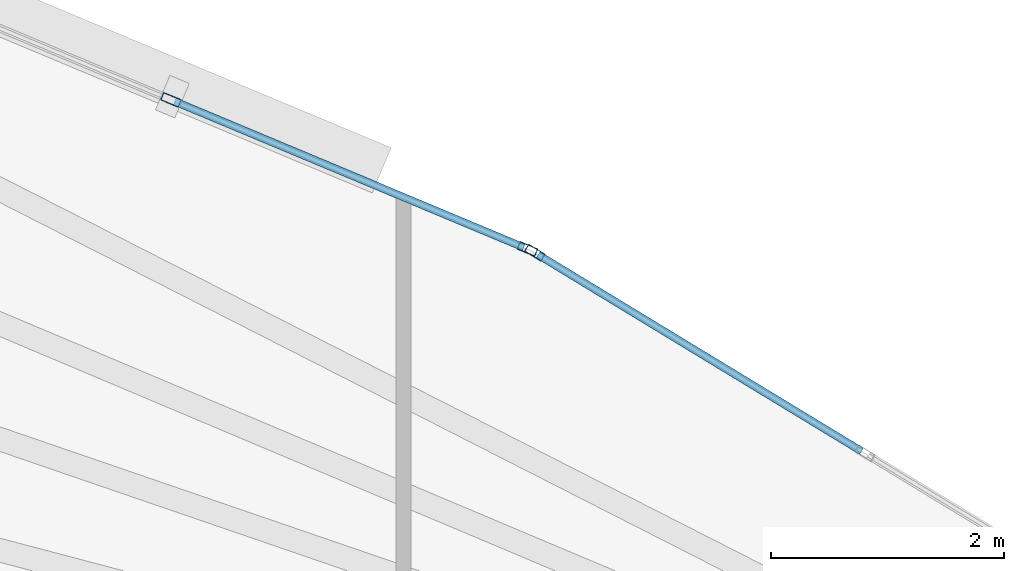
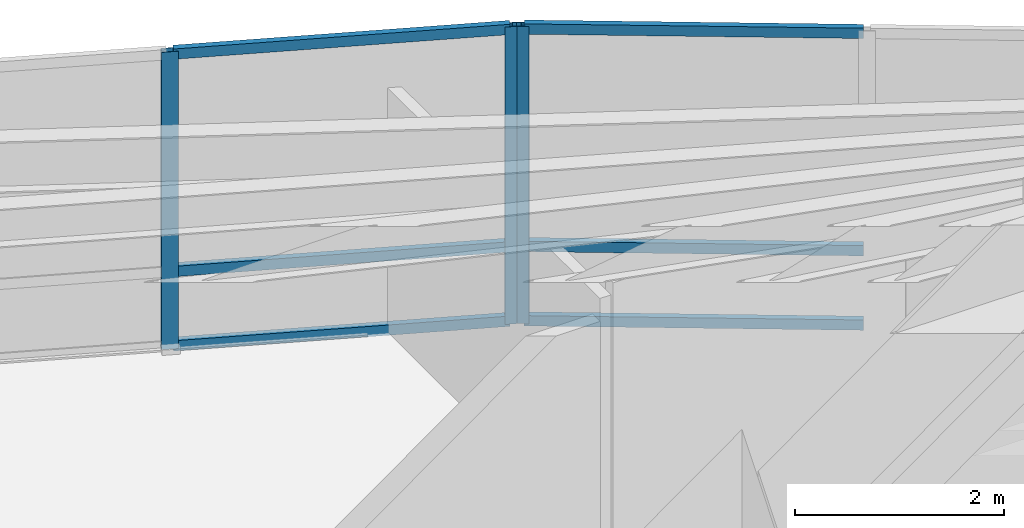
# One storey, part 12 of 17: 9 members, 2 elements without a shape of their own.
"""IFC4 building model written with IfcOpenShell, lengths in metres."""

import ifcopenshell
import ifcopenshell.guid

model = None  # the IFC model being written
_history = None  # IfcOwnerHistory: only IFC2X3 demands one
_inside = {}  # id of a spatial element -> (the spatial element, [elements in it])
_under = {}  # id of a project, library or spatial element -> (it, [spatial elements below it])
_declared = {}  # id of a project -> (the project, [libraries it declares])
_typed = {}  # id of a type object -> (the type object, [elements of that type])
_made_of = {}  # id of a material, layer set ... -> (it, [elements and type objects made of it])


def new_model(schema):
    """Start an empty IFC model of exactly this schema.

    Asked for "IFC4X3", IfcOpenShell would pick the latest addendum, in which some entities
    have other attributes; the version numbers below select the first issue.
    IFC2X3 requires an IfcOwnerHistory on every rooted entity: one is made here for all.
    """
    global model, _history
    if schema == "IFC4X3":
        model = ifcopenshell.file(schema_version=(4, 3, 0, 0))
    else:
        model = ifcopenshell.file(schema=schema)
    _inside.clear()
    _under.clear()
    _declared.clear()
    _typed.clear()
    _made_of.clear()
    _history = None
    if model.schema == "IFC2X3":
        org = make("IfcOrganization", Name="unknown")
        user = make(
            "IfcPersonAndOrganization",
            ThePerson=make("IfcPerson", FamilyName="unknown"),
            TheOrganization=org,
        )
        app = make(
            "IfcApplication",
            ApplicationDeveloper=org,
            Version="unknown",
            ApplicationFullName="unknown",
            ApplicationIdentifier="unknown",
        )
        _history = make(
            "IfcOwnerHistory",
            OwningUser=user,
            OwningApplication=app,
            ChangeAction="ADDED",
            CreationDate=0,
        )
    return model


def make(cls, **values):
    """One entity of the class cls with the attributes given. An attribute that is None is left unset."""
    return model.create_entity(
        cls, **{name: value for name, value in values.items() if value is not None}
    )


def rooted(cls, **values):
    """An entity with a GlobalId (a new one), such as an element, a storey or a relation."""
    return make(cls, GlobalId=ifcopenshell.guid.new(), OwnerHistory=_history, **values)


def si_unit(unit_type, name, prefix=None):
    """IfcSIUnit, for example si_unit("LENGTHUNIT", "METRE", prefix="MILLI")."""
    return make("IfcSIUnit", UnitType=unit_type, Prefix=prefix, Name=name)


def assignment(units):
    """IfcUnitAssignment: the units of a project."""
    return None if units is None else make("IfcUnitAssignment", Units=units)


def point(xyz):
    """IfcCartesianPoint."""
    return None if xyz is None else make("IfcCartesianPoint", Coordinates=xyz)


def direction(xyz):
    """IfcDirection."""
    return None if xyz is None else make("IfcDirection", DirectionRatios=xyz)


def frame(location, z_axis=None, x_axis=None):
    """IfcAxis2Placement3D, a coordinate frame: its origin and axes. An axis left out is left unset."""
    return make(
        "IfcAxis2Placement3D",
        Location=point(location),
        Axis=direction(z_axis),
        RefDirection=direction(x_axis),
    )


def frame_2d(location, x_axis=None):
    """IfcAxis2Placement2D, a coordinate frame in the plane: its origin and x axis."""
    return make(
        "IfcAxis2Placement2D", Location=point(location), RefDirection=direction(x_axis)
    )


def origin():
    """The frame at (0, 0, 0) with its axes left unset."""
    return frame((0.0, 0.0, 0.0))


def origin_2d():
    """The frame at (0, 0) in the plane with its x axis left unset."""
    return frame_2d((0.0, 0.0))


def place(relative_to, where):
    """IfcLocalPlacement: puts the frame where relative to a parent placement (None: the world)."""
    return make(
        "IfcLocalPlacement", PlacementRelTo=relative_to, RelativePlacement=where
    )


def context(
    kind, dimensions, precision=None, world=None, true_north=None, identifier=None
):
    """IfcGeometricRepresentationContext, for example the 3D "Model" context."""
    return make(
        "IfcGeometricRepresentationContext",
        ContextIdentifier=identifier,
        ContextType=kind,
        CoordinateSpaceDimension=dimensions,
        Precision=precision,
        WorldCoordinateSystem=world,
        TrueNorth=true_north,
    )


def subcontext(parent, identifier, kind, view, scale=None):
    """IfcGeometricRepresentationSubContext, for example "Body" below "Model"."""
    return make(
        "IfcGeometricRepresentationSubContext",
        ContextIdentifier=identifier,
        ContextType=kind,
        ParentContext=parent,
        TargetScale=scale,
        TargetView=view,
    )


def project(units=None, contexts=None):
    """IfcProject with its units and contexts."""
    return rooted(
        "IfcProject",
        Name="project",
        RepresentationContexts=contexts,
        UnitsInContext=assignment(units),
    )


def spatial(cls, under=None, at=None, **own):
    """A site, building, storey or space (cls), placed at a placement, below another one or the project."""
    s = rooted(cls, ObjectPlacement=at, **own)
    if under is not None:
        _under.setdefault(under.id(), (under, []))[1].append(s)
    return s


def profile(cls, at=None, kind="AREA", **sizes):
    """A parametric profile (cls). Its sizes go by their IFC names, for example OverallWidth=200.0."""
    return make(cls, ProfileType=kind, Position=at, **sizes)


def hollow_rectangle(**sizes):
    """IfcRectangleHollowProfileDef."""
    return profile("IfcRectangleHollowProfileDef", **sizes)


def extrude(swept, where, along, depth):
    """IfcExtrudedAreaSolid: the profile swept, set in the frame where, extruded along a direction by depth."""
    return make(
        "IfcExtrudedAreaSolid",
        SweptArea=swept,
        Position=where,
        ExtrudedDirection=direction(along),
        Depth=depth,
    )


def shape(context_of_items, identifier, shape_type, items):
    """IfcShapeRepresentation: the items that make up one representation, for example the "Body"."""
    return make(
        "IfcShapeRepresentation",
        ContextOfItems=context_of_items,
        RepresentationIdentifier=identifier,
        RepresentationType=shape_type,
        Items=items,
    )


def material(Name=None, Category=None):
    """IfcMaterial."""
    return make("IfcMaterial", Name=Name, Category=Category)


def layer(
    of_material, thickness, ventilated=None, Name=None, Category=None, Priority=None
):
    """IfcMaterialLayer: one layer of a wall or slab, of a material (None: an air gap)."""
    return make(
        "IfcMaterialLayer",
        Material=of_material,
        LayerThickness=thickness,
        IsVentilated=ventilated,
        Name=Name,
        Category=Category,
        Priority=Priority,
    )


def layer_set(layers, Name=None):
    """IfcMaterialLayerSet."""
    return make("IfcMaterialLayerSet", MaterialLayers=layers, LayerSetName=Name)


def material_profile(
    of_material, cross_section, Name=None, Category=None, Priority=None
):
    """IfcMaterialProfile: a cross section and its material."""
    return make(
        "IfcMaterialProfile",
        Name=Name,
        Material=of_material,
        Profile=cross_section,
        Priority=Priority,
        Category=Category,
    )


def profile_set(profiles, Name=None, composite=None):
    """IfcMaterialProfileSet."""
    return make(
        "IfcMaterialProfileSet",
        Name=Name,
        MaterialProfiles=profiles,
        CompositeProfile=composite,
    )


def made_of(thing, what):
    """Note that an element or type object is made of a material, layer set ...; save() writes the relation."""
    if what is not None:
        _made_of.setdefault(what.id(), (what, []))[1].append(thing)
    return thing


def type_object(cls, material=None, **own):
    """A type object (cls), such as IfcWallType, which elements share."""
    return made_of(rooted(cls, **own), material)


def element(
    cls,
    number,
    at=None,
    inside=None,
    cuts=None,
    type_object=None,
    material=None,
    context=None,
    identifier="Body",
    shape_type=None,
    held_by="IfcProductDefinitionShape",
    body=None,
    shapes=None,
    **own,
):
    """One element of the class cls, such as IfcWall. Its Tag is "e" and its number.

    at: its placement. inside: the storey or other place that contains it. cuts: it is an
    opening in that element (IfcRelVoidsElement). A single representation is given by context,
    identifier, shape_type and body (its items); several are given by shapes. held_by: the class
    of the entity that holds the representations. save() writes the other relations.
    """
    e = rooted(cls, Tag="e%d" % number, ObjectPlacement=at, **own)
    if body is not None:
        shapes = [shape(context, identifier, shape_type, body)]
    if shapes is not None:
        e.Representation = make(held_by, Representations=shapes)
    if inside is not None:
        _inside.setdefault(inside.id(), (inside, []))[1].append(e)
    if cuts is not None:
        rooted(
            "IfcRelVoidsElement", RelatingBuildingElement=cuts, RelatedOpeningElement=e
        )
    if type_object is not None:
        _typed.setdefault(type_object.id(), (type_object, []))[1].append(e)
    return made_of(e, material)


def aggregate(whole, parts):
    """IfcRelAggregates: a whole, such as a stair, and the parts it consists of."""
    return rooted("IfcRelAggregates", RelatingObject=whole, RelatedObjects=parts)


def save(model, path):
    """Write the relations noted so far, then the file.

    IfcRelAggregates (storeys below a building ...), IfcRelContainedInSpatialStructure (elements
    in a storey), IfcRelDefinesByType, IfcRelAssociatesMaterial and IfcRelDeclares: one each for
    every whole, place, type object, material and project.
    """
    for whole, parts in _under.values():
        aggregate(whole, parts)
    for where, things in _inside.values():
        rooted(
            "IfcRelContainedInSpatialStructure",
            RelatedElements=things,
            RelatingStructure=where,
        )
    for kind, things in _typed.values():
        rooted("IfcRelDefinesByType", RelatedObjects=things, RelatingType=kind)
    for what, things in _made_of.values():
        rooted("IfcRelAssociatesMaterial", RelatedObjects=things, RelatingMaterial=what)
    for by, libraries in _declared.values():
        rooted("IfcRelDeclares", RelatingContext=by, RelatedDefinitions=libraries)
    model.write(path)


model = new_model("IFC4")

# Units and contexts
model_context = context("Model", 3, precision=1e-05, world=origin(), true_north=direction((0.0, 1.0)))
body_context = subcontext(model_context, "Body", "Model", "MODEL_VIEW")
ifc_project = project(units=[si_unit("LENGTHUNIT", "METRE"), si_unit("AREAUNIT", "SQUARE_METRE"), si_unit("VOLUMEUNIT", "CUBIC_METRE"), si_unit("PLANEANGLEUNIT", "RADIAN"), si_unit("MASSUNIT", "GRAM", prefix="KILO")], contexts=[model_context])

# Site, building, storey
site_placement = place(None, origin())
site = spatial("IfcSite", under=ifc_project, at=site_placement, CompositionType="ELEMENT")
building_placement = place(site_placement, origin())
building = spatial("IfcBuilding", under=site, at=building_placement, Name="Menara Vayukalpa", CompositionType="ELEMENT")
storey_placement = place(building_placement, frame((0.0, 0.0, 49.919921875)))
storey = spatial("IfcBuildingStorey", under=building, at=storey_placement, Name="L11", CompositionType="ELEMENT", Elevation=49.919921875)

# Curtain wall, member
ifc_material_1 = material(Name="Anodised Terracotta Aluminium Alloy 6063-T6", Category="masonry")
ifc_layer = layer(ifc_material_1, 0.1650390625)
ifc_layer_set = layer_set([ifc_layer], Name="Anodised Terracotta Aluminium Alloy 6063-T6")
curtain_wall_type = type_object("IfcCurtainWallType", Name="CW-CW2", PredefinedType="USERDEFINED", material=ifc_layer_set)
curtain_wall_1_placement = place(storey_placement, origin())
curtain_wall_1 = element("IfcCurtainWall", 1, at=curtain_wall_1_placement, inside=storey, type_object=curtain_wall_type, Name="L11 Low Rise Terracotta Ribbon Curtain Wall CW2 04", ObjectType="UNITISED", PredefinedType="USERDEFINED")
ifc_material_2 = material(Name="Anodised Terracotta Aluminium Alloy 6063-T6", Category="masonry")
ifc_material_profile_1 = material_profile(ifc_material_2, hollow_rectangle(XDim=0.070068359375, YDim=0.1650390625, WallThickness=0.00390625, at=origin_2d()), Name="ALU 70x165x4")
ifc_profile_set_1 = profile_set([ifc_material_profile_1], Name="Anodised Terracotta Aluminium Alloy 6063-T6")
member_type_1 = type_object("IfcMemberType", Name="CWM-CW2", PredefinedType="MULLION", material=ifc_profile_set_1)
member_1_placement = place(storey_placement, frame((30.125, 32.30126953125, 0.0), z_axis=(0.0, 0.0, 1.0), x_axis=(-0.519181964377, -0.854663727945, 0.0)))
member_1 = element("IfcMember", 2, at=member_1_placement, type_object=member_type_1, Name="CW2 mullion 3", PredefinedType="MULLION", context=body_context, shape_type="SweptSolid", body=[
    extrude(hollow_rectangle(XDim=0.070068359375, YDim=0.1650390625, WallThickness=0.00390625, at=origin_2d()), origin(), (0.0, 0.0, 1.0), 3.469970703125),
])

# Curtain wall, members
curtain_wall_2_placement = place(storey_placement, origin())
curtain_wall_2 = element("IfcCurtainWall", 3, at=curtain_wall_2_placement, inside=storey, type_object=curtain_wall_type, Name="L11 Low Rise Terracotta Ribbon Curtain Wall CW2 05", ObjectType="UNITISED", PredefinedType="USERDEFINED")
member_2_placement = place(storey_placement, frame((30.062744140625, 32.3330078125, 0.0), z_axis=(0.0, 0.0, 1.0), x_axis=(-0.385895120445, -0.922542658101, 0.0)))
member_2 = element("IfcMember", 4, at=member_2_placement, type_object=member_type_1, Name="CW2 mullion 1", PredefinedType="MULLION", context=body_context, shape_type="SweptSolid", body=[
    extrude(hollow_rectangle(XDim=0.070068359375, YDim=0.1650390625, WallThickness=0.00390625, at=origin_2d()), origin(), (0.0, 0.0, 1.0), 3.469970703125),
])
member_3_placement = place(storey_placement, frame((27.0068359375, 33.611083984375, 0.0), z_axis=(0.0, 0.0, 1.0), x_axis=(-0.385895120445, -0.922542658101, 0.0)))
member_3 = element("IfcMember", 5, at=member_3_placement, type_object=member_type_1, Name="CW2 mullion 2", PredefinedType="MULLION", context=body_context, shape_type="SweptSolid", body=[
    extrude(hollow_rectangle(XDim=0.070068359375, YDim=0.1650390625, WallThickness=0.00390625, at=origin_2d()), origin(), (0.0, 0.0, 1.0), 3.469970703125),
])

# Member
ifc_material_3 = material(Name="Anodised Terracotta Aluminium Alloy 6063-T6", Category="masonry")
ifc_material_profile_2 = material_profile(ifc_material_3, hollow_rectangle(XDim=0.06494140625, YDim=0.1201171875, WallThickness=0.00341796875, at=origin_2d()), Name="ALU 65x120x3.5")
ifc_profile_set_2 = profile_set([ifc_material_profile_2], Name="Anodised Terracotta Aluminium Alloy 6063-T6")
member_type_2 = type_object("IfcMemberType", Name="CWT-CW2", PredefinedType="USERDEFINED", material=ifc_profile_set_2)
member_4_placement = place(storey_placement, frame((32.92626953125, 30.599609375, 0.032470703125), z_axis=(-0.854676552714, 0.519160851992, 0.0), x_axis=(-0.519160851992, -0.854676552714, 0.0)))
member_4 = element("IfcMember", 6, at=member_4_placement, type_object=member_type_2, Name="CW2 transom 2.1", ObjectType="TRANSOM", PredefinedType="USERDEFINED", context=body_context, shape_type="SweptSolid", body=[
    extrude(hollow_rectangle(XDim=0.06494140625, YDim=0.1201171875, WallThickness=0.00341796875, at=origin_2d()), origin(), (0.0, 0.0, 1.0), 3.242431640625),
])

member_5_placement = place(storey_placement, frame((32.92626953125, 30.599609375, 0.900146484375), z_axis=(-0.854676552714, 0.519160851992, 0.0), x_axis=(-0.519160851992, -0.854676552714, 0.0)))
member_5 = element("IfcMember", 7, at=member_5_placement, type_object=member_type_2, Name="CW2 transom 2.2", ObjectType="TRANSOM", PredefinedType="USERDEFINED", context=body_context, shape_type="SweptSolid", body=[
    extrude(hollow_rectangle(XDim=0.06494140625, YDim=0.1201171875, WallThickness=0.00341796875, at=origin_2d()), origin(), (0.0, 0.0, 1.0), 3.242431640625),
])

member_6_placement = place(storey_placement, frame((32.92626953125, 30.599609375, 3.4375), z_axis=(-0.854676552714, 0.519160851992, 0.0), x_axis=(-0.519160851992, -0.854676552714, 0.0)))
member_6 = element("IfcMember", 8, at=member_6_placement, type_object=member_type_2, Name="CW2 transom 2.3", ObjectType="TRANSOM", PredefinedType="USERDEFINED", context=body_context, shape_type="SweptSolid", body=[
    extrude(hollow_rectangle(XDim=0.06494140625, YDim=0.1201171875, WallThickness=0.00341796875, at=origin_2d()), origin(), (0.0, 0.0, 1.0), 3.242431640625),
])

aggregate(curtain_wall_1, [member_1, member_4, member_5, member_6])

member_7_placement = place(storey_placement, frame((30.030517578125, 32.346435546875, 0.032470703125), z_axis=(-0.922552588381, 0.385871379699, 0.0), x_axis=(-0.385871379699, -0.922552588381, 0.0)))
member_7 = element("IfcMember", 9, at=member_7_placement, type_object=member_type_2, Name="CW2 transom 1.1", ObjectType="TRANSOM", PredefinedType="USERDEFINED", context=body_context, shape_type="SweptSolid", body=[
    extrude(hollow_rectangle(XDim=0.06494140625, YDim=0.1201171875, WallThickness=0.00341796875, at=origin_2d()), origin(), (0.0, 0.0, 1.0), 3.24267578125),
])

member_8_placement = place(storey_placement, frame((30.030517578125, 32.346435546875, 0.900146484375), z_axis=(-0.922552588381, 0.385871379699, 0.0), x_axis=(-0.385871379699, -0.922552588381, 0.0)))
member_8 = element("IfcMember", 10, at=member_8_placement, type_object=member_type_2, Name="CW2 transom 1.2", ObjectType="TRANSOM", PredefinedType="USERDEFINED", context=body_context, shape_type="SweptSolid", body=[
    extrude(hollow_rectangle(XDim=0.06494140625, YDim=0.1201171875, WallThickness=0.00341796875, at=origin_2d()), origin(), (0.0, 0.0, 1.0), 3.24267578125),
])

member_9_placement = place(storey_placement, frame((30.030517578125, 32.346435546875, 3.4375), z_axis=(-0.922552588381, 0.385871379699, 0.0), x_axis=(-0.385871379699, -0.922552588381, 0.0)))
member_9 = element("IfcMember", 11, at=member_9_placement, type_object=member_type_2, Name="CW2 transom 1.3", ObjectType="TRANSOM", PredefinedType="USERDEFINED", context=body_context, shape_type="SweptSolid", body=[
    extrude(hollow_rectangle(XDim=0.06494140625, YDim=0.1201171875, WallThickness=0.00341796875, at=origin_2d()), origin(), (0.0, 0.0, 1.0), 3.24267578125),
])

aggregate(curtain_wall_2, [member_2, member_3, member_7, member_8, member_9])

save(model, "model.ifc")
